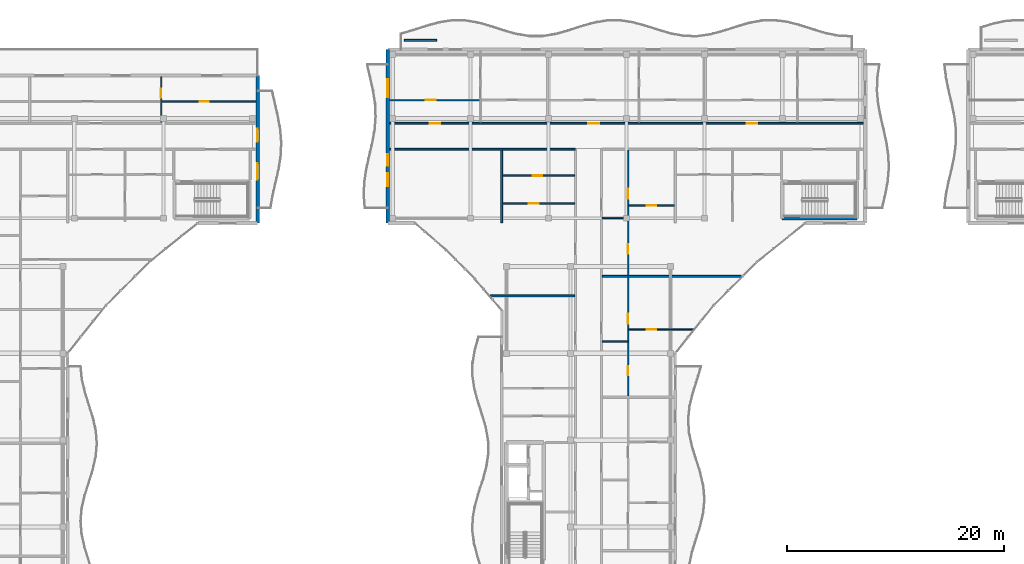
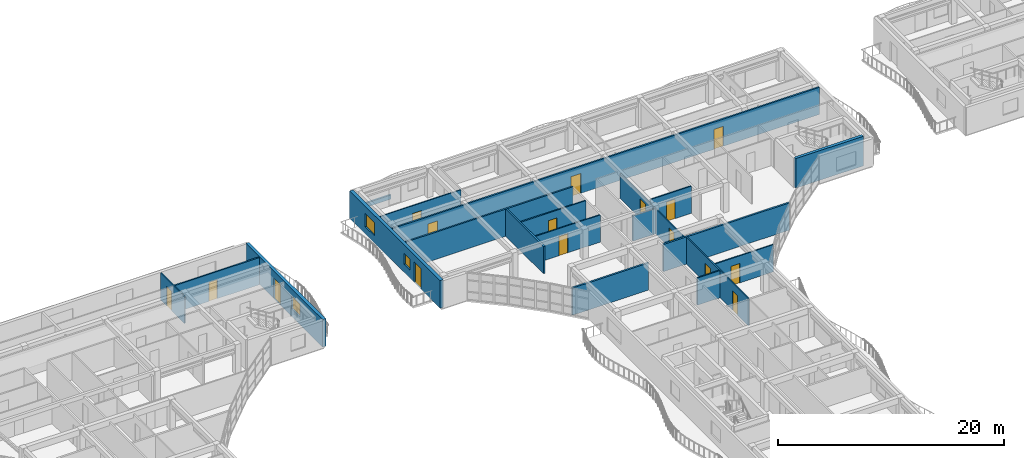
# One storey, part 38 of 68: 20 walls, 16 doors, 3 windows, 19 openings.
"""IFC4 building model written with IfcOpenShell, lengths in metres."""

from ifc_helpers import new_model, si_unit, direction, frame, frame_2d, origin, place, context, subcontext, project, spatial, rectangle, extrude, material, layer, layer_set, type_object, element, fill, save


model = new_model("IFC4")

# Units and contexts
model_context = context("Model", 3, precision=1e-05, world=origin(), true_north=direction((0.0, 1.0)))
body_context = subcontext(model_context, "Body", "Model", "MODEL_VIEW")
ifc_project = project(units=[si_unit("LENGTHUNIT", "METRE"), si_unit("AREAUNIT", "SQUARE_METRE"), si_unit("VOLUMEUNIT", "CUBIC_METRE"), si_unit("PLANEANGLEUNIT", "RADIAN"), si_unit("MASSUNIT", "GRAM", prefix="KILO")], contexts=[model_context])

# Site, building, storey
site_placement = place(None, origin())
site = spatial("IfcSite", under=ifc_project, at=site_placement, CompositionType="ELEMENT")
building_placement = place(site_placement, origin())
building = spatial("IfcBuilding", under=site, at=building_placement, Name="Keldmere Railside Commons", CompositionType="ELEMENT")
storey_placement = place(building_placement, frame((0.0, 0.0, 23.360107421875)))
storey = spatial("IfcBuildingStorey", under=building, at=storey_placement, Name="L07", CompositionType="ELEMENT", Elevation=23.360107421875)

# Walls
ifc_material_1 = material(Name="Acoustic Gypsum Board Partition", Category="gypsum")
ifc_layer_1 = layer(ifc_material_1, 0.179931640625, Name="Acoustic Demising Partition 180")
ifc_layer_set_1 = layer_set([ifc_layer_1], Name="Acoustic Gypsum Board Partition")
wall_type_1 = type_object("IfcWallType", Name="Acoustic Demising Partition 180", PredefinedType="PARTITIONING", material=ifc_layer_set_1)
wall_1_placement = place(storey_placement, frame((104.0, 100.050048828125, 0.0), z_axis=(0.0, 0.0, 1.0), x_axis=(0.0, 1.0, 0.0)))
element("IfcWall", 1, at=wall_1_placement, inside=storey, type_object=wall_type_1, Name="IW-1 IW-L07-1193", PredefinedType="PARTITIONING", context=body_context, shape_type="SweptSolid", body=[
    extrude(rectangle(XDim=6.669921875, YDim=0.179931640625, at=frame_2d((3.3349609375, 0.0))), origin(), (0.0, 0.0, 1.0), 2.934814453125),
])
wall_2_placement = place(storey_placement, frame((113.280029296875, 95.090087890625, 0.0), z_axis=(0.0, 0.0, 1.0), x_axis=(1.0, 0.0, 0.0)))
element("IfcWall", 2, at=wall_2_placement, inside=storey, type_object=wall_type_1, Name="IW-1 IW-L07-1198", PredefinedType="PARTITIONING", context=body_context, shape_type="SweptSolid", body=[
    extrude(rectangle(XDim=12.87744140625, YDim=0.179931640625, at=frame_2d((6.438720703125, 0.0))), origin(), (0.0, 0.0, 1.0), 2.934814453125),
])
wall_3_placement = place(storey_placement, frame((102.929443359375, 93.300048828125, 0.0), z_axis=(0.0, 0.0, 1.0), x_axis=(1.0, 0.0, 0.0)))
element("IfcWall", 3, at=wall_3_placement, inside=storey, type_object=wall_type_1, Name="IW-1 IW-L07-1223", PredefinedType="PARTITIONING", context=body_context, shape_type="SweptSolid", body=[
    extrude(rectangle(XDim=7.79052734375, YDim=0.179931640625, at=frame_2d((3.895263671875, 0.0))), origin(), (0.0, 0.0, 1.0), 2.934814453125),
])

# Wall, opening, door
ifc_layer_2 = layer(ifc_material_1, 0.1201171875, Name="Apartment Interior Partition 120")
ifc_layer_set_2 = layer_set([ifc_layer_2], Name="Acoustic Gypsum Board Partition")
wall_type_2 = type_object("IfcWallType", Name="Apartment Interior Partition 120", PredefinedType="PARTITIONING", material=ifc_layer_set_2)
wall_4_placement = place(storey_placement, frame((72.6201171875, 109.280029296875, 0.0), z_axis=(0.0, 0.0, 1.0), x_axis=(0.0, 1.0, 0.0)))
wall_4 = element("IfcWall", 4, at=wall_4_placement, inside=storey, type_object=wall_type_2, Name="IW-4 IW-L07-0801", PredefinedType="PARTITIONING", context=body_context, shape_type="SweptSolid", body=[
    extrude(rectangle(XDim=4.18994140625, YDim=0.1201171875, at=frame_2d((2.094970703125, 0.0))), origin(), (0.0, 0.0, 1.0), 2.934814453125),
])
opening_1_placement = place(wall_4_placement, frame((2.267578125, 0.0, 0.0)))
opening_1 = element("IfcOpeningElement", 5, at=opening_1_placement, cuts=wall_4, Name="Opening ID-04", PredefinedType="OPENING", context=body_context, shape_type="SweptSolid", body=[
    extrude(rectangle(XDim=0.860107421875, YDim=2.10009765625, at=frame_2d((0.43017578125, 1.050048828125))), frame((0.0, 0.070068359375, 0.0), z_axis=(0.0, -1.0, 0.0), x_axis=(1.0, 0.0, 0.0)), (0.0, 0.0, 1.0), 0.14013671875),
])
ifc_material_2 = material(Name="Engineered Oak Timber", Category="wood")
door_type_1 = type_object("IfcDoorType", Name="Apartment Bathroom Door 860x2100", OperationType="NOTDEFINED", PredefinedType="DOOR", material=ifc_material_2)
door_1_placement = place(opening_1_placement, origin())
door_1 = element("IfcDoor", 6, at=door_1_placement, inside=storey, type_object=door_type_1, Name="ID-04 IDR-L07-0687", OperationType="SINGLE_SWING_LEFT", OverallHeight=2.10009765625, OverallWidth=0.860107421875, PredefinedType="DOOR", context=body_context, shape_type="SweptSolid", body=[
    extrude(rectangle(XDim=0.860107421875, YDim=2.10009765625, at=frame_2d((0.43017578125, 1.050048828125))), frame((0.0, 0.02490234375, 0.0), z_axis=(0.0, -1.0, 0.0), x_axis=(1.0, 0.0, 0.0)), (0.0, 0.0, 1.0), 0.050048828125),
])
fill(opening_1, door_1)

# Wall, openings, doors
wall_5_placement = place(storey_placement, frame((115.659912109375, 84.06005859375, 0.0), z_axis=(0.0, 0.0, 1.0), x_axis=(0.0, 1.0, 0.0)))
wall_5 = element("IfcWall", 7, at=wall_5_placement, inside=storey, type_object=wall_type_2, Name="IW-4 IW-L07-1203", PredefinedType="PARTITIONING", context=body_context, shape_type="SweptSolid", body=[
    extrude(rectangle(XDim=10.93994140625, YDim=0.1201171875, at=frame_2d((5.469970703125, 0.0))), origin(), (0.0, 0.0, 1.0), 2.934814453125),
])
opening_2_placement = place(wall_5_placement, frame((1.911376953125, 0.0, 0.0)))
opening_2 = element("IfcOpeningElement", 8, at=opening_2_placement, cuts=wall_5, Name="Opening ID-04", PredefinedType="OPENING", context=body_context, shape_type="SweptSolid", body=[
    extrude(rectangle(XDim=0.860107421875, YDim=2.10009765625, at=frame_2d((0.43017578125, 1.050048828125))), frame((0.0, 0.070068359375, 0.0), z_axis=(0.0, -1.0, 0.0), x_axis=(1.0, 0.0, 0.0)), (0.0, 0.0, 1.0), 0.14013671875),
])
opening_3_placement = place(wall_5_placement, frame((6.684814453125, 0.0, 0.0)))
opening_3 = element("IfcOpeningElement", 9, at=opening_3_placement, cuts=wall_5, Name="Opening ID-03", PredefinedType="OPENING", context=body_context, shape_type="SweptSolid", body=[
    extrude(rectangle(XDim=0.919921875, YDim=2.10009765625, at=frame_2d((0.4599609375, 1.050048828125))), frame((0.0, 0.070068359375, 0.0), z_axis=(0.0, -1.0, 0.0), x_axis=(1.0, 0.0, 0.0)), (0.0, 0.0, 1.0), 0.14013671875),
])
door_2_placement = place(opening_2_placement, origin())
door_2 = element("IfcDoor", 10, at=door_2_placement, inside=storey, type_object=door_type_1, Name="ID-04 IDR-L07-1063", OperationType="SINGLE_SWING_LEFT", OverallHeight=2.10009765625, OverallWidth=0.860107421875, PredefinedType="DOOR", context=body_context, shape_type="SweptSolid", body=[
    extrude(rectangle(XDim=0.860107421875, YDim=2.10009765625, at=frame_2d((0.43017578125, 1.050048828125))), frame((0.0, 0.02490234375, 0.0), z_axis=(0.0, -1.0, 0.0), x_axis=(1.0, 0.0, 0.0)), (0.0, 0.0, 1.0), 0.050048828125),
])
fill(opening_2, door_2)
door_type_2 = type_object("IfcDoorType", Name="Kitchen Pocket-Frame Swing Door 920x2100", OperationType="NOTDEFINED", PredefinedType="DOOR", material=ifc_material_2)
door_3_placement = place(opening_3_placement, origin())
door_3 = element("IfcDoor", 11, at=door_3_placement, inside=storey, type_object=door_type_2, Name="ID-03 IDR-L07-1064", OperationType="SINGLE_SWING_RIGHT", OverallHeight=2.10009765625, OverallWidth=0.919921875, PredefinedType="DOOR", context=body_context, shape_type="SweptSolid", body=[
    extrude(rectangle(XDim=0.919921875, YDim=2.10009765625, at=frame_2d((0.4599609375, 1.050048828125))), frame((0.0, 0.02490234375, 0.0), z_axis=(0.0, -1.0, 0.0), x_axis=(1.0, 0.0, 0.0)), (0.0, 0.0, 1.0), 0.050048828125),
])
fill(opening_3, door_3)

# Wall, opening, door
wall_6_placement = place(storey_placement, frame((115.719970703125, 90.18994140625, 0.0), z_axis=(0.0, 0.0, 1.0), x_axis=(1.0, 0.0, 0.0)))
wall_6 = element("IfcWall", 12, at=wall_6_placement, inside=storey, type_object=wall_type_2, Name="IW-4 IW-L07-1205", PredefinedType="PARTITIONING", context=body_context, shape_type="SweptSolid", body=[
    extrude(rectangle(XDim=5.98583984375, YDim=0.1201171875, at=frame_2d((2.992919921875, 0.0))), origin(), (0.0, 0.0, 1.0), 2.934814453125),
])
opening_4_placement = place(wall_6_placement, frame((1.6298828125, 0.0, 0.0)))
opening_4 = element("IfcOpeningElement", 13, at=opening_4_placement, cuts=wall_6, Name="Opening ID-01", PredefinedType="OPENING", context=body_context, shape_type="SweptSolid", body=[
    extrude(rectangle(XDim=0.89990234375, YDim=2.10009765625, at=frame_2d((0.449951171875, 1.050048828125))), frame((0.0, 0.070068359375, 0.0), z_axis=(0.0, -1.0, 0.0), x_axis=(1.0, 0.0, 0.0)), (0.0, 0.0, 1.0), 0.14013671875),
])
door_type_3 = type_object("IfcDoorType", Name="Primary Bedroom Door 900x2100", OperationType="NOTDEFINED", PredefinedType="DOOR", material=ifc_material_2)
door_4_placement = place(opening_4_placement, origin())
door_4 = element("IfcDoor", 14, at=door_4_placement, inside=storey, type_object=door_type_3, Name="ID-01 IDR-L07-1066", OperationType="SINGLE_SWING_RIGHT", OverallHeight=2.10009765625, OverallWidth=0.89990234375, PredefinedType="DOOR", context=body_context, shape_type="SweptSolid", body=[
    extrude(rectangle(XDim=0.89990234375, YDim=2.10009765625, at=frame_2d((0.449951171875, 1.050048828125))), frame((0.0, 0.02490234375, 0.0), z_axis=(0.0, -1.0, 0.0), x_axis=(1.0, 0.0, 0.0)), (0.0, 0.0, 1.0), 0.050048828125),
])
fill(opening_4, door_4)

# Wall, openings, doors
wall_7_placement = place(storey_placement, frame((115.659912109375, 95.179931640625, 0.0), z_axis=(0.0, 0.0, 1.0), x_axis=(0.0, 1.0, 0.0)))
wall_7 = element("IfcWall", 15, at=wall_7_placement, inside=storey, type_object=wall_type_2, Name="IW-4 IW-L07-1206", PredefinedType="PARTITIONING", context=body_context, shape_type="SweptSolid", body=[
    extrude(rectangle(XDim=11.5400390625, YDim=0.1201171875, at=frame_2d((5.77001953125, 0.0))), origin(), (0.0, 0.0, 1.0), 2.679931640625),
])
opening_5_placement = place(wall_7_placement, frame((2.017822265625, 0.0, 0.0)))
opening_5 = element("IfcOpeningElement", 16, at=opening_5_placement, cuts=wall_7, Name="Opening ID-04", PredefinedType="OPENING", context=body_context, shape_type="SweptSolid", body=[
    extrude(rectangle(XDim=0.860107421875, YDim=2.10009765625, at=frame_2d((0.43017578125, 1.050048828125))), frame((0.0, 0.070068359375, 0.0), z_axis=(0.0, -1.0, 0.0), x_axis=(1.0, 0.0, 0.0)), (0.0, 0.0, 1.0), 0.14013671875),
])
opening_6_placement = place(wall_7_placement, frame((7.054443359375, 0.0, 0.0)))
opening_6 = element("IfcOpeningElement", 17, at=opening_6_placement, cuts=wall_7, Name="Opening ID-03", PredefinedType="OPENING", context=body_context, shape_type="SweptSolid", body=[
    extrude(rectangle(XDim=0.919921875, YDim=2.10009765625, at=frame_2d((0.4599609375, 1.050048828125))), frame((0.0, 0.070068359375, 0.0), z_axis=(0.0, -1.0, 0.0), x_axis=(1.0, 0.0, 0.0)), (0.0, 0.0, 1.0), 0.14013671875),
])
door_5_placement = place(opening_5_placement, origin())
door_5 = element("IfcDoor", 18, at=door_5_placement, inside=storey, type_object=door_type_1, Name="ID-04 IDR-L07-1067", OperationType="SINGLE_SWING_LEFT", OverallHeight=2.10009765625, OverallWidth=0.860107421875, PredefinedType="DOOR", context=body_context, shape_type="SweptSolid", body=[
    extrude(rectangle(XDim=0.860107421875, YDim=2.10009765625, at=frame_2d((0.43017578125, 1.050048828125))), frame((0.0, 0.02490234375, 0.0), z_axis=(0.0, -1.0, 0.0), x_axis=(1.0, 0.0, 0.0)), (0.0, 0.0, 1.0), 0.050048828125),
])
fill(opening_5, door_5)
door_6_placement = place(opening_6_placement, origin())
door_6 = element("IfcDoor", 19, at=door_6_placement, inside=storey, type_object=door_type_2, Name="ID-03 IDR-L07-1068", OperationType="SINGLE_SWING_RIGHT", OverallHeight=2.10009765625, OverallWidth=0.919921875, PredefinedType="DOOR", context=body_context, shape_type="SweptSolid", body=[
    extrude(rectangle(XDim=0.919921875, YDim=2.10009765625, at=frame_2d((0.4599609375, 1.050048828125))), frame((0.0, 0.02490234375, 0.0), z_axis=(0.0, -1.0, 0.0), x_axis=(1.0, 0.0, 0.0)), (0.0, 0.0, 1.0), 0.050048828125),
])
fill(opening_6, door_6)

# Wall, opening, door
wall_8_placement = place(storey_placement, frame((115.719970703125, 101.639892578125, 0.0), z_axis=(0.0, 0.0, 1.0), x_axis=(1.0, 0.0, 0.0)))
wall_8 = element("IfcWall", 20, at=wall_8_placement, inside=storey, type_object=wall_type_2, Name="IW-4 IW-L07-1208", PredefinedType="PARTITIONING", context=body_context, shape_type="SweptSolid", body=[
    extrude(rectangle(XDim=4.18994140625, YDim=0.1201171875, at=frame_2d((2.094970703125, 0.0))), origin(), (0.0, 0.0, 1.0), 2.934814453125),
])
opening_7_placement = place(wall_8_placement, frame((1.64501953125, 0.0, 0.0)))
opening_7 = element("IfcOpeningElement", 21, at=opening_7_placement, cuts=wall_8, Name="Opening ID-01", PredefinedType="OPENING", context=body_context, shape_type="SweptSolid", body=[
    extrude(rectangle(XDim=0.89990234375, YDim=2.10009765625, at=frame_2d((0.449951171875, 1.050048828125))), frame((0.0, 0.070068359375, 0.0), z_axis=(0.0, -1.0, 0.0), x_axis=(1.0, 0.0, 0.0)), (0.0, 0.0, 1.0), 0.14013671875),
])
door_7_placement = place(opening_7_placement, origin())
door_7 = element("IfcDoor", 22, at=door_7_placement, inside=storey, type_object=door_type_3, Name="ID-01 IDR-L07-1070", OperationType="SINGLE_SWING_RIGHT", OverallHeight=2.10009765625, OverallWidth=0.89990234375, PredefinedType="DOOR", context=body_context, shape_type="SweptSolid", body=[
    extrude(rectangle(XDim=0.89990234375, YDim=2.10009765625, at=frame_2d((0.449951171875, 1.050048828125))), frame((0.0, 0.02490234375, 0.0), z_axis=(0.0, -1.0, 0.0), x_axis=(1.0, 0.0, 0.0)), (0.0, 0.0, 1.0), 0.050048828125),
])
fill(opening_7, door_7)

wall_9_placement = place(storey_placement, frame((104.090087890625, 101.820068359375, 0.0), z_axis=(0.0, 0.0, 1.0), x_axis=(1.0, 0.0, 0.0)))
wall_9 = element("IfcWall", 23, at=wall_9_placement, inside=storey, type_object=wall_type_2, Name="IW-4 IW-L07-1226", PredefinedType="PARTITIONING", context=body_context, shape_type="SweptSolid", body=[
    extrude(rectangle(XDim=6.6298828125, YDim=0.1201171875, at=frame_2d((3.31494140625, 0.0))), origin(), (0.0, 0.0, 1.0), 2.934814453125),
])
opening_8_placement = place(wall_9_placement, frame((2.384521484375, 0.0, 0.0)))
opening_8 = element("IfcOpeningElement", 24, at=opening_8_placement, cuts=wall_9, Name="Opening ID-03", PredefinedType="OPENING", context=body_context, shape_type="SweptSolid", body=[
    extrude(rectangle(XDim=0.919921875, YDim=2.10009765625, at=frame_2d((0.4599609375, 1.050048828125))), frame((0.0, 0.070068359375, 0.0), z_axis=(0.0, -1.0, 0.0), x_axis=(1.0, 0.0, 0.0)), (0.0, 0.0, 1.0), 0.14013671875),
])
door_8_placement = place(opening_8_placement, origin())
door_8 = element("IfcDoor", 25, at=door_8_placement, inside=storey, type_object=door_type_2, Name="ID-03 IDR-L07-1095", OperationType="SINGLE_SWING_LEFT", OverallHeight=2.10009765625, OverallWidth=0.919921875, PredefinedType="DOOR", context=body_context, shape_type="SweptSolid", body=[
    extrude(rectangle(XDim=0.919921875, YDim=2.10009765625, at=frame_2d((0.4599609375, 1.050048828125))), frame((0.0, 0.02490234375, 0.0), z_axis=(0.0, -1.0, 0.0), x_axis=(1.0, 0.0, 0.0)), (0.0, 0.0, 1.0), 0.050048828125),
])
fill(opening_8, door_8)

# Wall
ifc_material_3 = material(Name="White Precast Concrete H-35 (C35/45)", Category="concrete")
ifc_layer_3 = layer(ifc_material_3, 0.169921875, Name="Balcony Planter Kerb Wall 170")
ifc_layer_set_3 = layer_set([ifc_layer_3], Name="White Precast Concrete H-35 (C35/45)")
wall_type_3 = type_object("IfcWallType", Name="Balcony Planter Kerb Wall 170", PredefinedType="PARAPET", material=ifc_layer_set_3)
wall_10_placement = place(storey_placement, frame((95.0, 116.85009765625, 0.0), z_axis=(0.0, 0.0, 1.0), x_axis=(1.0, 0.0, 0.0)))
element("IfcWall", 26, at=wall_10_placement, inside=storey, type_object=wall_type_3, Name="PW-2 PKBB-L07-0646", PredefinedType="PARAPET", context=body_context, shape_type="SweptSolid", body=[
    extrude(rectangle(XDim=3.0, YDim=0.169921875, at=frame_2d((1.5, 0.0))), origin(), (0.0, 0.0, 1.0), 0.449951171875),
])

# Wall, opening, door
ifc_layer_4 = layer(ifc_material_1, 0.10009765625, Name="Closet Light Partition 100")
ifc_layer_set_4 = layer_set([ifc_layer_4], Name="Acoustic Gypsum Board Partition")
wall_type_4 = type_object("IfcWallType", Name="Closet Light Partition 100", PredefinedType="PARTITIONING", material=ifc_layer_set_4)
wall_11_placement = place(storey_placement, frame((93.659912109375, 111.330078125, 0.0), z_axis=(0.0, 0.0, 1.0), x_axis=(1.0, 0.0, 0.0)))
wall_11 = element("IfcWall", 27, at=wall_11_placement, inside=storey, type_object=wall_type_4, Name="IW-6 IW-L07-1213", PredefinedType="PARTITIONING", context=body_context, shape_type="SweptSolid", body=[
    extrude(rectangle(XDim=8.330078125, YDim=0.10009765625, at=frame_2d((4.1650390625, 0.0))), origin(), (0.0, 0.0, 1.0), 2.934814453125),
])
opening_9_placement = place(wall_11_placement, frame((3.35595703125, 0.0, 0.0)))
opening_9 = element("IfcOpeningElement", 28, at=opening_9_placement, cuts=wall_11, Name="Opening ID-03", PredefinedType="OPENING", context=body_context, shape_type="SweptSolid", body=[
    extrude(rectangle(XDim=0.919921875, YDim=2.10009765625, at=frame_2d((0.4599609375, 1.050048828125))), frame((0.0, 0.06005859375, 0.0), z_axis=(0.0, -1.0, 0.0), x_axis=(1.0, 0.0, 0.0)), (0.0, 0.0, 1.0), 0.1201171875),
])
door_9_placement = place(opening_9_placement, origin())
door_9 = element("IfcDoor", 29, at=door_9_placement, inside=storey, type_object=door_type_2, Name="ID-03 IDR-L07-1072", OperationType="SINGLE_SWING_RIGHT", OverallHeight=2.10009765625, OverallWidth=0.919921875, PredefinedType="DOOR", context=body_context, shape_type="SweptSolid", body=[
    extrude(rectangle(XDim=0.919921875, YDim=2.10009765625, at=frame_2d((0.4599609375, 1.050048828125))), frame((0.0, 0.02490234375, 0.0), z_axis=(0.0, -1.0, 0.0), x_axis=(1.0, 0.0, 0.0)), (0.0, 0.0, 1.0), 0.050048828125),
])
fill(opening_9, door_9)

# Wall
ifc_layer_5 = layer(ifc_material_1, 0.159912109375, Name="Corridor Fire Partition 160")
ifc_layer_set_5 = layer_set([ifc_layer_5], Name="Acoustic Gypsum Board Partition")
wall_type_5 = type_object("IfcWallType", Name="Corridor Fire Partition 160", PredefinedType="PARTITIONING", material=ifc_layer_set_5)
wall_12_placement = place(storey_placement, frame((93.659912109375, 106.800048828125, 0.0), z_axis=(0.0, 0.0, 1.0), x_axis=(1.0, 0.0, 0.0)))
element("IfcWall", 30, at=wall_12_placement, inside=storey, type_object=wall_type_5, Name="IW-2 IW-L07-1189", PredefinedType="PARTITIONING", context=body_context, shape_type="SweptSolid", body=[
    extrude(rectangle(XDim=17.14013671875, YDim=0.159912109375, at=frame_2d((8.570068359375, 0.0))), origin(), (0.0, 0.0, 1.0), 2.934814453125),
])

# Wall, openings, doors
wall_13_placement = place(storey_placement, frame((93.659912109375, 109.199951171875, 0.0), z_axis=(0.0, 0.0, 1.0), x_axis=(1.0, 0.0, 0.0)))
wall_13 = element("IfcWall", 31, at=wall_13_placement, inside=storey, type_object=wall_type_5, Name="IW-2 IW-L07-1191", PredefinedType="PARTITIONING", context=body_context, shape_type="SweptSolid", body=[
    extrude(rectangle(XDim=43.68017578125, YDim=0.159912109375, at=frame_2d((21.840087890625, 0.0))), origin(), (0.0, 0.0, 1.0), 2.934814453125),
])
opening_10_placement = place(wall_13_placement, frame((3.705078125, 0.0, 0.0)))
opening_10 = element("IfcOpeningElement", 32, at=opening_10_placement, cuts=wall_13, Name="Opening FD-7", PredefinedType="OPENING", context=body_context, shape_type="SweptSolid", body=[
    extrude(rectangle(XDim=0.97998046875, YDim=2.14990234375, at=frame_2d((0.489990234375, 1.074951171875))), frame((0.0, 0.08984375, 0.0), z_axis=(0.0, -1.0, 0.0), x_axis=(1.0, 0.0, 0.0)), (0.0, 0.0, 1.0), 0.179931640625),
])
opening_11_placement = place(wall_13_placement, frame((18.330078125, 0.0, 0.0)))
opening_11 = element("IfcOpeningElement", 33, at=opening_11_placement, cuts=wall_13, Name="Opening FD-7", PredefinedType="OPENING", context=body_context, shape_type="SweptSolid", body=[
    extrude(rectangle(XDim=0.97998046875, YDim=2.14990234375, at=frame_2d((0.489990234375, 1.074951171875))), frame((0.0, 0.08984375, 0.0), z_axis=(0.0, -1.0, 0.0), x_axis=(1.0, 0.0, 0.0)), (0.0, 0.0, 1.0), 0.179931640625),
])
opening_12_placement = place(wall_13_placement, frame((32.9150390625, 0.0, 0.0)))
opening_12 = element("IfcOpeningElement", 34, at=opening_12_placement, cuts=wall_13, Name="Opening FD-7", PredefinedType="OPENING", context=body_context, shape_type="SweptSolid", body=[
    extrude(rectangle(XDim=0.97998046875, YDim=2.14990234375, at=frame_2d((0.489990234375, 1.074951171875))), frame((0.0, 0.08984375, 0.0), z_axis=(0.0, -1.0, 0.0), x_axis=(1.0, 0.0, 0.0)), (0.0, 0.0, 1.0), 0.179931640625),
])
door_type_4 = type_object("IfcDoorType", Name="Apartment Entrance Acoustic Fire Door 980x2150", OperationType="NOTDEFINED", PredefinedType="DOOR", material=ifc_material_2)
door_10_placement = place(opening_10_placement, origin())
door_10 = element("IfcDoor", 35, at=door_10_placement, inside=storey, type_object=door_type_4, Name="FD-7 IDR-L07-1071", OperationType="SINGLE_SWING_LEFT", OverallHeight=2.14990234375, OverallWidth=0.97998046875, PredefinedType="DOOR", context=body_context, shape_type="SweptSolid", body=[
    extrude(rectangle(XDim=0.97998046875, YDim=2.14990234375, at=frame_2d((0.489990234375, 1.074951171875))), frame((0.0, 0.02490234375, 0.0), z_axis=(0.0, -1.0, 0.0), x_axis=(1.0, 0.0, 0.0)), (0.0, 0.0, 1.0), 0.050048828125),
])
fill(opening_10, door_10)
door_11_placement = place(opening_11_placement, origin())
door_11 = element("IfcDoor", 36, at=door_11_placement, inside=storey, type_object=door_type_4, Name="FD-7 IDR-L07-1076", OperationType="SINGLE_SWING_RIGHT", OverallHeight=2.14990234375, OverallWidth=0.97998046875, PredefinedType="DOOR", context=body_context, shape_type="SweptSolid", body=[
    extrude(rectangle(XDim=0.97998046875, YDim=2.14990234375, at=frame_2d((0.489990234375, 1.074951171875))), frame((0.0, 0.02490234375, 0.0), z_axis=(0.0, -1.0, 0.0), x_axis=(1.0, 0.0, 0.0)), (0.0, 0.0, 1.0), 0.050048828125),
])
fill(opening_11, door_11)
door_12_placement = place(opening_12_placement, origin())
door_12 = element("IfcDoor", 37, at=door_12_placement, inside=storey, type_object=door_type_4, Name="FD-7 IDR-L07-1081", OperationType="SINGLE_SWING_LEFT", OverallHeight=2.14990234375, OverallWidth=0.97998046875, PredefinedType="DOOR", context=body_context, shape_type="SweptSolid", body=[
    extrude(rectangle(XDim=0.97998046875, YDim=2.14990234375, at=frame_2d((0.489990234375, 1.074951171875))), frame((0.0, 0.02490234375, 0.0), z_axis=(0.0, -1.0, 0.0), x_axis=(1.0, 0.0, 0.0)), (0.0, 0.0, 1.0), 0.050048828125),
])
fill(opening_12, door_12)

# Wall, openings, door, window
ifc_material_4 = material(Name="Concrete H-35 (C35/45)", Category="concrete")
ifc_layer_6 = layer(ifc_material_4, 0.320068359375, Name="Exterior Shear Wall 320")
ifc_layer_set_6 = layer_set([ifc_layer_6], Name="Concrete H-35 (C35/45)")
wall_type_6 = type_object("IfcWallType", Name="Exterior Shear Wall 320", PredefinedType="SHEAR", material=ifc_layer_set_6)
wall_14_placement = place(storey_placement, frame((81.5, 113.60009765625, 0.0), z_axis=(0.0, 0.0, 1.0), x_axis=(0.0, -1.0, 0.0)))
wall_14 = element("IfcWall", 38, at=wall_14_placement, inside=storey, type_object=wall_type_6, Name="ESW-2 EXTC-L07-0383", PredefinedType="SHEAR", context=body_context, shape_type="SweptSolid", body=[
    extrude(rectangle(XDim=13.60009765625, YDim=0.320068359375, at=frame_2d((6.800048828125, 0.0))), origin(), (0.0, 0.0, 1.0), 2.97998046875),
])
opening_13_placement = place(wall_14_placement, frame((4.89990234375, 0.0, 0.0)))
opening_13 = element("IfcOpeningElement", 39, at=opening_13_placement, cuts=wall_14, Name="Opening BD-01", PredefinedType="OPENING", context=body_context, shape_type="SweptSolid", body=[
    extrude(rectangle(XDim=1.199951171875, YDim=2.199951171875, at=frame_2d((0.60009765625, 1.10009765625))), frame((0.0, 0.169921875, 0.0), z_axis=(0.0, -1.0, 0.0), x_axis=(1.0, 0.0, 0.0)), (0.0, 0.0, 1.0), 0.340087890625),
])
opening_14_placement = place(wall_14_placement, frame((8.10009765625, 0.0, 0.820068359375)))
opening_14 = element("IfcOpeningElement", 40, at=opening_14_placement, cuts=wall_14, Name="Opening WN-06", PredefinedType="OPENING", context=body_context, shape_type="SweptSolid", body=[
    extrude(rectangle(XDim=1.5, YDim=1.39990234375, at=frame_2d((0.75, 0.699951171875))), frame((0.0, 0.169921875, 0.0), z_axis=(0.0, -1.0, 0.0), x_axis=(1.0, 0.0, 0.0)), (0.0, 0.0, 1.0), 0.340087890625),
])
ifc_material_5 = material(Name="Thermally Broken Aluminium", Category="aluminium")
door_type_5 = type_object("IfcDoorType", Name="Apartment Living Wave-Balcony Glazed Door 1200x2200", OperationType="NOTDEFINED", PredefinedType="DOOR", material=ifc_material_5)
door_13_placement = place(opening_13_placement, origin())
door_13 = element("IfcDoor", 41, at=door_13_placement, inside=storey, type_object=door_type_5, Name="BD-01 DR-L07-0103", OperationType="SINGLE_SWING_LEFT", OverallHeight=2.199951171875, OverallWidth=1.199951171875, PredefinedType="DOOR", context=body_context, shape_type="SweptSolid", body=[
    extrude(rectangle(XDim=1.199951171875, YDim=2.199951171875, at=frame_2d((0.60009765625, 1.10009765625))), frame((0.0, 0.02490234375, 0.0), z_axis=(0.0, -1.0, 0.0), x_axis=(1.0, 0.0, 0.0)), (0.0, 0.0, 1.0), 0.050048828125),
])
fill(opening_13, door_13)
ifc_material_6 = material(Name="Low-E Insulated Double Glazing", Category="glass")
window_type_1 = type_object("IfcWindowType", Name="Primary Bedroom North Window 1500x1400", PartitioningType="SINGLE_PANEL", PredefinedType="WINDOW", material=ifc_material_6)
window_1_placement = place(opening_14_placement, origin())
window_1 = element("IfcWindow", 42, at=window_1_placement, inside=storey, type_object=window_type_1, Name="WN-06 WIN-L07-0294", OverallHeight=1.39990234375, OverallWidth=1.5, PartitioningType="SINGLE_PANEL", PredefinedType="WINDOW", context=body_context, shape_type="SweptSolid", body=[
    extrude(rectangle(XDim=1.5, YDim=1.39990234375, at=frame_2d((0.75, 0.699951171875))), frame((0.0, 0.030029296875, 0.0), z_axis=(0.0, -1.0, 0.0), x_axis=(1.0, 0.0, 0.0)), (0.0, 0.0, 1.0), 0.06005859375),
])
fill(opening_14, window_1)

# Wall, openings, windows, door
wall_15_placement = place(storey_placement, frame((93.5, 100.0, 0.0), z_axis=(0.0, 0.0, 1.0), x_axis=(0.0, 1.0, 0.0)))
wall_15 = element("IfcWall", 43, at=wall_15_placement, inside=storey, type_object=wall_type_6, Name="ESW-2 EXTB-L07-0643", PredefinedType="SHEAR", context=body_context, shape_type="SweptSolid", body=[
    extrude(rectangle(XDim=16.0, YDim=0.320068359375, at=frame_2d((8.0, 0.0))), origin(), (0.0, 0.0, 1.0), 2.97998046875),
])
opening_15_placement = place(wall_15_placement, frame((3.39990234375, 0.0, 0.0)))
opening_15 = element("IfcOpeningElement", 44, at=opening_15_placement, cuts=wall_15, Name="Opening BD-01", PredefinedType="OPENING", context=body_context, shape_type="SweptSolid", body=[
    extrude(rectangle(XDim=1.199951171875, YDim=2.199951171875, at=frame_2d((0.60009765625, 1.10009765625))), frame((0.0, 0.169921875, 0.0), z_axis=(0.0, -1.0, 0.0), x_axis=(1.0, 0.0, 0.0)), (0.0, 0.0, 1.0), 0.340087890625),
])
opening_16_placement = place(wall_15_placement, frame((5.300048828125, 0.0, 0.89990234375)))
opening_16 = element("IfcOpeningElement", 45, at=opening_16_placement, cuts=wall_15, Name="Opening WN-13", PredefinedType="OPENING", context=body_context, shape_type="SweptSolid", body=[
    extrude(rectangle(XDim=1.050048828125, YDim=1.14990234375, at=frame_2d((0.52490234375, 0.574951171875))), frame((0.0, 0.169921875, 0.0), z_axis=(0.0, -1.0, 0.0), x_axis=(1.0, 0.0, 0.0)), (0.0, 0.0, 1.0), 0.340087890625),
])
opening_17_placement = place(wall_15_placement, frame((11.625, 0.0, 0.77001953125)))
opening_17 = element("IfcOpeningElement", 46, at=opening_17_placement, cuts=wall_15, Name="Opening WN-03", PredefinedType="OPENING", context=body_context, shape_type="SweptSolid", body=[
    extrude(rectangle(XDim=1.64990234375, YDim=1.449951171875, at=frame_2d((0.824951171875, 0.72509765625))), frame((0.0, 0.169921875, 0.0), z_axis=(0.0, -1.0, 0.0), x_axis=(1.0, 0.0, 0.0)), (0.0, 0.0, 1.0), 0.340087890625),
])
window_type_2 = type_object("IfcWindowType", Name="Apartment Kitchen Casement Window 1050x1150", PartitioningType="SINGLE_PANEL", PredefinedType="WINDOW", material=ifc_material_6)
window_2_placement = place(opening_16_placement, origin())
window_2 = element("IfcWindow", 47, at=window_2_placement, inside=storey, type_object=window_type_2, Name="WN-13 WIN-L07-0486", OverallHeight=1.14990234375, OverallWidth=1.050048828125, PartitioningType="SINGLE_PANEL", PredefinedType="WINDOW", context=body_context, shape_type="SweptSolid", body=[
    extrude(rectangle(XDim=1.050048828125, YDim=1.14990234375, at=frame_2d((0.52490234375, 0.574951171875))), frame((0.0, 0.030029296875, 0.0), z_axis=(0.0, -1.0, 0.0), x_axis=(1.0, 0.0, 0.0)), (0.0, 0.0, 1.0), 0.06005859375),
])
fill(opening_16, window_2)
door_14_placement = place(opening_15_placement, origin())
door_14 = element("IfcDoor", 48, at=door_14_placement, inside=storey, type_object=door_type_5, Name="BD-01 DR-L07-0182", OperationType="SINGLE_SWING_RIGHT", OverallHeight=2.199951171875, OverallWidth=1.199951171875, PredefinedType="DOOR", context=body_context, shape_type="SweptSolid", body=[
    extrude(rectangle(XDim=1.199951171875, YDim=2.199951171875, at=frame_2d((0.60009765625, 1.10009765625))), frame((0.0, 0.02490234375, 0.0), z_axis=(0.0, -1.0, 0.0), x_axis=(1.0, 0.0, 0.0)), (0.0, 0.0, 1.0), 0.050048828125),
])
fill(opening_15, door_14)
window_type_3 = type_object("IfcWindowType", Name="Living Room East Shaded Window 1650x1450", PartitioningType="SINGLE_PANEL", PredefinedType="WINDOW", material=ifc_material_6)
window_3_placement = place(opening_17_placement, origin())
window_3 = element("IfcWindow", 49, at=window_3_placement, inside=storey, type_object=window_type_3, Name="WN-03 WIN-L07-0487", OverallHeight=1.449951171875, OverallWidth=1.64990234375, PartitioningType="SINGLE_PANEL", PredefinedType="WINDOW", context=body_context, shape_type="SweptSolid", body=[
    extrude(rectangle(XDim=1.64990234375, YDim=1.449951171875, at=frame_2d((0.824951171875, 0.72509765625))), frame((0.0, 0.030029296875, 0.0), z_axis=(0.0, -1.0, 0.0), x_axis=(1.0, 0.0, 0.0)), (0.0, 0.0, 1.0), 0.06005859375),
])
fill(opening_17, window_3)

# Wall
ifc_layer_7 = layer(ifc_material_4, 0.300048828125, Name="Interior Shear Wall 300")
ifc_layer_set_7 = layer_set([ifc_layer_7], Name="Concrete H-35 (C35/45)")
wall_type_7 = type_object("IfcWallType", Name="Interior Shear Wall 300", PredefinedType="SHEAR", material=ifc_layer_set_7)
wall_16_placement = place(storey_placement, frame((129.85009765625, 100.449951171875, 0.0), z_axis=(0.0, 0.0, 1.0), x_axis=(1.0, 0.0, 0.0)))
element("IfcWall", 50, at=wall_16_placement, inside=storey, type_object=wall_type_7, Name="ISW-2 COREB2S-L07-0524", PredefinedType="SHEAR", context=body_context, shape_type="SweptSolid", body=[
    extrude(rectangle(XDim=6.89990234375, YDim=0.300048828125, at=frame_2d((3.449951171875, 0.0))), origin(), (0.0, 0.0, 1.0), 3.199951171875),
])

# Wall, opening, door
ifc_layer_8 = layer(ifc_material_1, 0.139892578125, Name="Wet-Room Sanitary Partition 140")
ifc_layer_set_8 = layer_set([ifc_layer_8], Name="Acoustic Gypsum Board Partition")
wall_type_8 = type_object("IfcWallType", Name="Wet-Room Sanitary Partition 140", PredefinedType="PARTITIONING", material=ifc_layer_set_8)
wall_17_placement = place(storey_placement, frame((72.679931640625, 111.2099609375, 0.0), z_axis=(0.0, 0.0, 1.0), x_axis=(1.0, 0.0, 0.0)))
wall_17 = element("IfcWall", 51, at=wall_17_placement, inside=storey, type_object=wall_type_8, Name="IW-5 IW-L07-0802", PredefinedType="PARTITIONING", context=body_context, shape_type="SweptSolid", body=[
    extrude(rectangle(XDim=8.66015625, YDim=0.139892578125, at=frame_2d((4.330078125, 0.0))), origin(), (0.0, 0.0, 1.0), 2.934814453125),
])
opening_18_placement = place(wall_17_placement, frame((3.488037109375, 0.0, 0.0)))
opening_18 = element("IfcOpeningElement", 52, at=opening_18_placement, cuts=wall_17, Name="Opening ID-06", PredefinedType="OPENING", context=body_context, shape_type="SweptSolid", body=[
    extrude(rectangle(XDim=0.85009765625, YDim=2.050048828125, at=frame_2d((0.425048828125, 1.02490234375))), frame((0.0, 0.079833984375, 0.0), z_axis=(0.0, -1.0, 0.0), x_axis=(1.0, 0.0, 0.0)), (0.0, 0.0, 1.0), 0.159912109375),
])
door_type_6 = type_object("IfcDoorType", Name="Storage Closet Door 850x2050", OperationType="NOTDEFINED", PredefinedType="DOOR", material=ifc_material_2)
door_15_placement = place(opening_18_placement, origin())
door_15 = element("IfcDoor", 53, at=door_15_placement, inside=storey, type_object=door_type_6, Name="ID-06 IDR-L07-0688", OperationType="SINGLE_SWING_RIGHT", OverallHeight=2.050048828125, OverallWidth=0.85009765625, PredefinedType="DOOR", context=body_context, shape_type="SweptSolid", body=[
    extrude(rectangle(XDim=0.85009765625, YDim=2.050048828125, at=frame_2d((0.425048828125, 1.02490234375))), frame((0.0, 0.02490234375, 0.0), z_axis=(0.0, -1.0, 0.0), x_axis=(1.0, 0.0, 0.0)), (0.0, 0.0, 1.0), 0.050048828125),
])
fill(opening_18, door_15)

# Walls
wall_18_placement = place(storey_placement, frame((113.280029296875, 89.090087890625, 0.0), z_axis=(0.0, 0.0, 1.0), x_axis=(1.0, 0.0, 0.0)))
element("IfcWall", 54, at=wall_18_placement, inside=storey, type_object=wall_type_8, Name="IW-5 IW-L07-1204", PredefinedType="PARTITIONING", context=body_context, shape_type="SweptSolid", body=[
    extrude(rectangle(XDim=2.320068359375, YDim=0.139892578125, at=frame_2d((1.16015625, 0.0))), origin(), (0.0, 0.0, 1.0), 2.934814453125),
])
wall_19_placement = place(storey_placement, frame((113.280029296875, 100.489990234375, 0.0), z_axis=(0.0, 0.0, 1.0), x_axis=(1.0, 0.0, 0.0)))
element("IfcWall", 55, at=wall_19_placement, inside=storey, type_object=wall_type_8, Name="IW-5 IW-L07-1207", PredefinedType="PARTITIONING", context=body_context, shape_type="SweptSolid", body=[
    extrude(rectangle(XDim=2.320068359375, YDim=0.139892578125, at=frame_2d((1.16015625, 0.0))), origin(), (0.0, 0.0, 1.0), 2.72998046875),
])

# Wall, opening, door
wall_20_placement = place(storey_placement, frame((104.090087890625, 104.3701171875, 0.0), z_axis=(0.0, 0.0, 1.0), x_axis=(1.0, 0.0, 0.0)))
wall_20 = element("IfcWall", 56, at=wall_20_placement, inside=storey, type_object=wall_type_8, Name="IW-5 IW-L07-1227", PredefinedType="PARTITIONING", context=body_context, shape_type="SweptSolid", body=[
    extrude(rectangle(XDim=6.6298828125, YDim=0.139892578125, at=frame_2d((3.31494140625, 0.0))), origin(), (0.0, 0.0, 1.0), 2.934814453125),
])
opening_19_placement = place(wall_20_placement, frame((2.78466796875, 0.0, 0.0)))
opening_19 = element("IfcOpeningElement", 57, at=opening_19_placement, cuts=wall_20, Name="Opening ID-04", PredefinedType="OPENING", context=body_context, shape_type="SweptSolid", body=[
    extrude(rectangle(XDim=0.860107421875, YDim=2.10009765625, at=frame_2d((0.43017578125, 1.050048828125))), frame((0.0, 0.079833984375, 0.0), z_axis=(0.0, -1.0, 0.0), x_axis=(1.0, 0.0, 0.0)), (0.0, 0.0, 1.0), 0.159912109375),
])
door_16_placement = place(opening_19_placement, origin())
door_16 = element("IfcDoor", 58, at=door_16_placement, inside=storey, type_object=door_type_1, Name="ID-04 IDR-L07-1094", OperationType="SINGLE_SWING_RIGHT", OverallHeight=2.10009765625, OverallWidth=0.860107421875, PredefinedType="DOOR", context=body_context, shape_type="SweptSolid", body=[
    extrude(rectangle(XDim=0.860107421875, YDim=2.10009765625, at=frame_2d((0.43017578125, 1.050048828125))), frame((0.0, 0.02490234375, 0.0), z_axis=(0.0, -1.0, 0.0), x_axis=(1.0, 0.0, 0.0)), (0.0, 0.0, 1.0), 0.050048828125),
])
fill(opening_19, door_16)

save(model, "model.ifc")
